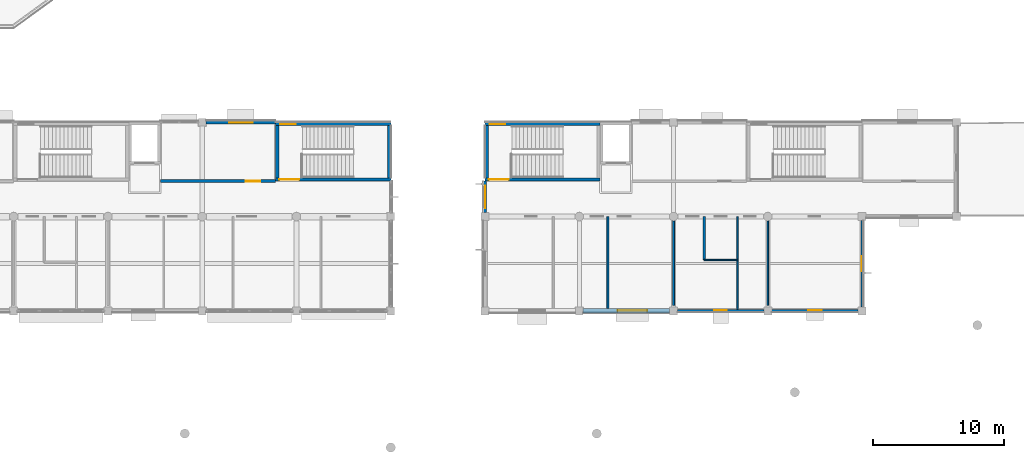
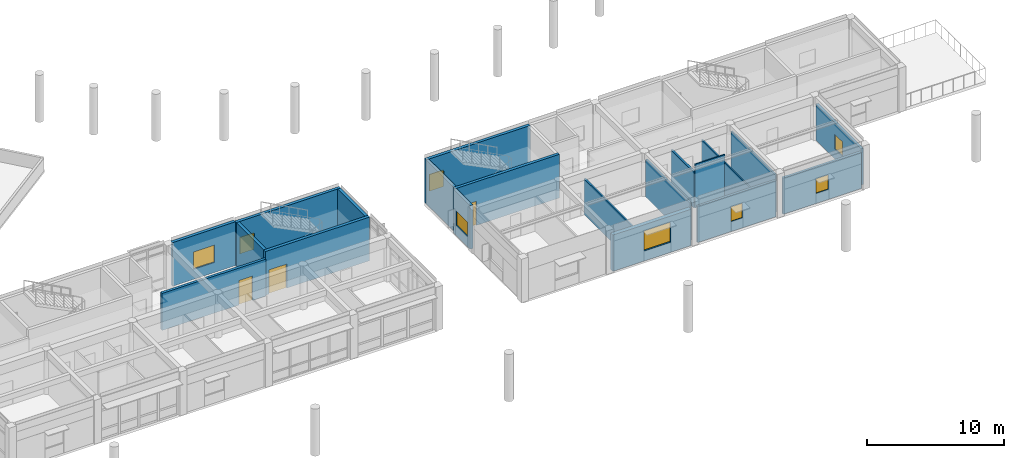
# One storey, part 24 of 55: 20 walls, 8 windows, 3 doors, 11 openings.
"""IFC4 building model written with IfcOpenShell, lengths in metres."""

import ifcopenshell
import ifcopenshell.guid

model = None  # the IFC model being written
_history = None  # IfcOwnerHistory: only IFC2X3 demands one
_inside = {}  # id of a spatial element -> (the spatial element, [elements in it])
_under = {}  # id of a project, library or spatial element -> (it, [spatial elements below it])
_declared = {}  # id of a project -> (the project, [libraries it declares])
_typed = {}  # id of a type object -> (the type object, [elements of that type])
_made_of = {}  # id of a material, layer set ... -> (it, [elements and type objects made of it])


def new_model(schema):
    """Start an empty IFC model of exactly this schema.

    Asked for "IFC4X3", IfcOpenShell would pick the latest addendum, in which some entities
    have other attributes; the version numbers below select the first issue.
    IFC2X3 requires an IfcOwnerHistory on every rooted entity: one is made here for all.
    """
    global model, _history
    if schema == "IFC4X3":
        model = ifcopenshell.file(schema_version=(4, 3, 0, 0))
    else:
        model = ifcopenshell.file(schema=schema)
    _inside.clear()
    _under.clear()
    _declared.clear()
    _typed.clear()
    _made_of.clear()
    _history = None
    if model.schema == "IFC2X3":
        org = make("IfcOrganization", Name="unknown")
        user = make(
            "IfcPersonAndOrganization",
            ThePerson=make("IfcPerson", FamilyName="unknown"),
            TheOrganization=org,
        )
        app = make(
            "IfcApplication",
            ApplicationDeveloper=org,
            Version="unknown",
            ApplicationFullName="unknown",
            ApplicationIdentifier="unknown",
        )
        _history = make(
            "IfcOwnerHistory",
            OwningUser=user,
            OwningApplication=app,
            ChangeAction="ADDED",
            CreationDate=0,
        )
    return model


def make(cls, **values):
    """One entity of the class cls with the attributes given. An attribute that is None is left unset."""
    return model.create_entity(
        cls, **{name: value for name, value in values.items() if value is not None}
    )


def rooted(cls, **values):
    """An entity with a GlobalId (a new one), such as an element, a storey or a relation."""
    return make(cls, GlobalId=ifcopenshell.guid.new(), OwnerHistory=_history, **values)


def si_unit(unit_type, name, prefix=None):
    """IfcSIUnit, for example si_unit("LENGTHUNIT", "METRE", prefix="MILLI")."""
    return make("IfcSIUnit", UnitType=unit_type, Prefix=prefix, Name=name)


def assignment(units):
    """IfcUnitAssignment: the units of a project."""
    return None if units is None else make("IfcUnitAssignment", Units=units)


def point(xyz):
    """IfcCartesianPoint."""
    return None if xyz is None else make("IfcCartesianPoint", Coordinates=xyz)


def direction(xyz):
    """IfcDirection."""
    return None if xyz is None else make("IfcDirection", DirectionRatios=xyz)


def frame(location, z_axis=None, x_axis=None):
    """IfcAxis2Placement3D, a coordinate frame: its origin and axes. An axis left out is left unset."""
    return make(
        "IfcAxis2Placement3D",
        Location=point(location),
        Axis=direction(z_axis),
        RefDirection=direction(x_axis),
    )


def frame_2d(location, x_axis=None):
    """IfcAxis2Placement2D, a coordinate frame in the plane: its origin and x axis."""
    return make(
        "IfcAxis2Placement2D", Location=point(location), RefDirection=direction(x_axis)
    )


def origin():
    """The frame at (0, 0, 0) with its axes left unset."""
    return frame((0.0, 0.0, 0.0))


def place(relative_to, where):
    """IfcLocalPlacement: puts the frame where relative to a parent placement (None: the world)."""
    return make(
        "IfcLocalPlacement", PlacementRelTo=relative_to, RelativePlacement=where
    )


def context(
    kind, dimensions, precision=None, world=None, true_north=None, identifier=None
):
    """IfcGeometricRepresentationContext, for example the 3D "Model" context."""
    return make(
        "IfcGeometricRepresentationContext",
        ContextIdentifier=identifier,
        ContextType=kind,
        CoordinateSpaceDimension=dimensions,
        Precision=precision,
        WorldCoordinateSystem=world,
        TrueNorth=true_north,
    )


def subcontext(parent, identifier, kind, view, scale=None):
    """IfcGeometricRepresentationSubContext, for example "Body" below "Model"."""
    return make(
        "IfcGeometricRepresentationSubContext",
        ContextIdentifier=identifier,
        ContextType=kind,
        ParentContext=parent,
        TargetScale=scale,
        TargetView=view,
    )


def project(units=None, contexts=None):
    """IfcProject with its units and contexts."""
    return rooted(
        "IfcProject",
        Name="project",
        RepresentationContexts=contexts,
        UnitsInContext=assignment(units),
    )


def spatial(cls, under=None, at=None, **own):
    """A site, building, storey or space (cls), placed at a placement, below another one or the project."""
    s = rooted(cls, ObjectPlacement=at, **own)
    if under is not None:
        _under.setdefault(under.id(), (under, []))[1].append(s)
    return s


def profile(cls, at=None, kind="AREA", **sizes):
    """A parametric profile (cls). Its sizes go by their IFC names, for example OverallWidth=200.0."""
    return make(cls, ProfileType=kind, Position=at, **sizes)


def rectangle(**sizes):
    """IfcRectangleProfileDef."""
    return profile("IfcRectangleProfileDef", **sizes)


def extrude(swept, where, along, depth):
    """IfcExtrudedAreaSolid: the profile swept, set in the frame where, extruded along a direction by depth."""
    return make(
        "IfcExtrudedAreaSolid",
        SweptArea=swept,
        Position=where,
        ExtrudedDirection=direction(along),
        Depth=depth,
    )


def shape(context_of_items, identifier, shape_type, items):
    """IfcShapeRepresentation: the items that make up one representation, for example the "Body"."""
    return make(
        "IfcShapeRepresentation",
        ContextOfItems=context_of_items,
        RepresentationIdentifier=identifier,
        RepresentationType=shape_type,
        Items=items,
    )


def material(Name=None, Category=None):
    """IfcMaterial."""
    return make("IfcMaterial", Name=Name, Category=Category)


def layer(
    of_material, thickness, ventilated=None, Name=None, Category=None, Priority=None
):
    """IfcMaterialLayer: one layer of a wall or slab, of a material (None: an air gap)."""
    return make(
        "IfcMaterialLayer",
        Material=of_material,
        LayerThickness=thickness,
        IsVentilated=ventilated,
        Name=Name,
        Category=Category,
        Priority=Priority,
    )


def layer_set(layers, Name=None):
    """IfcMaterialLayerSet."""
    return make("IfcMaterialLayerSet", MaterialLayers=layers, LayerSetName=Name)


def made_of(thing, what):
    """Note that an element or type object is made of a material, layer set ...; save() writes the relation."""
    if what is not None:
        _made_of.setdefault(what.id(), (what, []))[1].append(thing)
    return thing


def type_object(cls, material=None, **own):
    """A type object (cls), such as IfcWallType, which elements share."""
    return made_of(rooted(cls, **own), material)


def element(
    cls,
    number,
    at=None,
    inside=None,
    cuts=None,
    type_object=None,
    material=None,
    context=None,
    identifier="Body",
    shape_type=None,
    held_by="IfcProductDefinitionShape",
    body=None,
    shapes=None,
    **own,
):
    """One element of the class cls, such as IfcWall. Its Tag is "e" and its number.

    at: its placement. inside: the storey or other place that contains it. cuts: it is an
    opening in that element (IfcRelVoidsElement). A single representation is given by context,
    identifier, shape_type and body (its items); several are given by shapes. held_by: the class
    of the entity that holds the representations. save() writes the other relations.
    """
    e = rooted(cls, Tag="e%d" % number, ObjectPlacement=at, **own)
    if body is not None:
        shapes = [shape(context, identifier, shape_type, body)]
    if shapes is not None:
        e.Representation = make(held_by, Representations=shapes)
    if inside is not None:
        _inside.setdefault(inside.id(), (inside, []))[1].append(e)
    if cuts is not None:
        rooted(
            "IfcRelVoidsElement", RelatingBuildingElement=cuts, RelatedOpeningElement=e
        )
    if type_object is not None:
        _typed.setdefault(type_object.id(), (type_object, []))[1].append(e)
    return made_of(e, material)


def fill(opening, filler):
    """IfcRelFillsElement: the door or window that sits in an opening."""
    return rooted(
        "IfcRelFillsElement",
        RelatingOpeningElement=opening,
        RelatedBuildingElement=filler,
    )


def aggregate(whole, parts):
    """IfcRelAggregates: a whole, such as a stair, and the parts it consists of."""
    return rooted("IfcRelAggregates", RelatingObject=whole, RelatedObjects=parts)


def save(model, path):
    """Write the relations noted so far, then the file.

    IfcRelAggregates (storeys below a building ...), IfcRelContainedInSpatialStructure (elements
    in a storey), IfcRelDefinesByType, IfcRelAssociatesMaterial and IfcRelDeclares: one each for
    every whole, place, type object, material and project.
    """
    for whole, parts in _under.values():
        aggregate(whole, parts)
    for where, things in _inside.values():
        rooted(
            "IfcRelContainedInSpatialStructure",
            RelatedElements=things,
            RelatingStructure=where,
        )
    for kind, things in _typed.values():
        rooted("IfcRelDefinesByType", RelatedObjects=things, RelatingType=kind)
    for what, things in _made_of.values():
        rooted("IfcRelAssociatesMaterial", RelatedObjects=things, RelatingMaterial=what)
    for by, libraries in _declared.values():
        rooted("IfcRelDeclares", RelatingContext=by, RelatedDefinitions=libraries)
    model.write(path)


model = new_model("IFC4")

# Units and contexts
model_context = context("Model", 3, precision=1e-05, world=origin(), true_north=direction((0.0, 1.0)))
body_context = subcontext(model_context, "Body", "Model", "MODEL_VIEW")
ifc_project = project(units=[si_unit("LENGTHUNIT", "METRE"), si_unit("AREAUNIT", "SQUARE_METRE"), si_unit("VOLUMEUNIT", "CUBIC_METRE"), si_unit("PLANEANGLEUNIT", "RADIAN"), si_unit("MASSUNIT", "GRAM", prefix="KILO")], contexts=[model_context])

# Site, building, storey
site_placement = place(None, origin())
site = spatial("IfcSite", under=ifc_project, at=site_placement, CompositionType="ELEMENT")
building_placement = place(site_placement, origin())
building = spatial("IfcBuilding", under=site, at=building_placement, Name="Namkhue Oval Health Centre", CompositionType="ELEMENT")
storey_placement = place(building_placement, frame((0.0, 0.0, 9.60009765625)))
storey = spatial("IfcBuildingStorey", under=building, at=storey_placement, Name="L02", CompositionType="ELEMENT", Elevation=9.60009765625)

# Wall, opening, window
ifc_material_1 = material(Name="Autoclaved aerated concrete blockwork M7.5", Category="masonry")
ifc_layer_1 = layer(ifc_material_1, 0.179931640625)
ifc_layer_set_1 = layer_set([ifc_layer_1], Name="Autoclaved aerated concrete blockwork M7.5")
wall_type_1 = type_object("IfcWallType", Name="EXTERIOR ENVELOPE WALL 180", PredefinedType="STANDARD", material=ifc_layer_set_1)
wall_1_placement = place(storey_placement, frame((108.2958984375, 14.39990234375, 0.0), z_axis=(0.0, 0.0, 1.0), x_axis=(1.0, 0.0, 0.0)))
wall_1 = element("IfcWall", 1, at=wall_1_placement, inside=storey, type_object=wall_type_1, Name="Volume V5 L02 Exterior Envelope Wall 129", PredefinedType="STANDARD", context=body_context, shape_type="SweptSolid", body=[
    extrude(rectangle(XDim=6.608154296875, YDim=0.179931640625, at=frame_2d((3.30419921875, 0.0))), origin(), (0.0, 0.0, 1.0), 3.23486328125),
])
opening_1_placement = place(wall_1_placement, frame((2.8291015625, 0.0, 0.89990234375)))
opening_1 = element("IfcOpeningElement", 2, at=opening_1_placement, cuts=wall_1, Name="Opening WN-01", PredefinedType="OPENING", context=body_context, shape_type="SweptSolid", body=[
    extrude(rectangle(XDim=0.949951171875, YDim=1.300048828125, at=frame_2d((0.47509765625, 0.64990234375))), frame((0.0, 0.099853515625, 0.0), z_axis=(0.0, -1.0, 0.0), x_axis=(1.0, 0.0, 0.0)), (0.0, 0.0, 1.0), 0.199951171875),
])
ifc_material_2 = material(Name="Thermally broken low-E laminated double glazing", Category="glass")
window_type_1 = type_object("IfcWindowType", Name="EXTERIOR WINDOW 950X1300", PartitioningType="SINGLE_PANEL", PredefinedType="WINDOW", material=ifc_material_2)
window_1_placement = place(opening_1_placement, origin())
window_1 = element("IfcWindow", 3, at=window_1_placement, inside=storey, type_object=window_type_1, Name="Volume V5 L02 Exterior Window 91", OverallHeight=1.300048828125, OverallWidth=0.949951171875, PartitioningType="SINGLE_PANEL", PredefinedType="WINDOW", context=body_context, shape_type="SweptSolid", body=[
    extrude(rectangle(XDim=0.949951171875, YDim=1.300048828125, at=frame_2d((0.47509765625, 0.64990234375))), frame((0.0, 0.030029296875, 0.0), z_axis=(0.0, -1.0, 0.0), x_axis=(1.0, 0.0, 0.0)), (0.0, 0.0, 1.0), 0.06005859375),
])
fill(opening_1, window_1)

ifc_layer_2 = layer(ifc_material_1, 0.18994140625)
ifc_layer_set_2 = layer_set([ifc_layer_2], Name="Autoclaved aerated concrete blockwork M7.5")
wall_type_2 = type_object("IfcWallType", Name="EXTERIOR ENVELOPE WALL 190", PredefinedType="STANDARD", material=ifc_layer_set_2)
wall_2_placement = place(storey_placement, frame((115.49609375, 14.39990234375, 0.0), z_axis=(0.0, 0.0, 1.0), x_axis=(1.0, 0.0, 0.0)))
wall_2 = element("IfcWall", 4, at=wall_2_placement, inside=storey, type_object=wall_type_2, Name="Volume V5 L02 Exterior Envelope Wall 130", PredefinedType="STANDARD", context=body_context, shape_type="SweptSolid", body=[
    extrude(rectangle(XDim=6.60791015625, YDim=0.18994140625, at=frame_2d((3.303955078125, 0.0))), origin(), (0.0, 0.0, 1.0), 3.23486328125),
])
opening_2_placement = place(wall_2_placement, frame((2.779052734375, 0.0, 0.89990234375)))
opening_2 = element("IfcOpeningElement", 5, at=opening_2_placement, cuts=wall_2, Name="Opening WN-02", PredefinedType="OPENING", context=body_context, shape_type="SweptSolid", body=[
    extrude(rectangle(XDim=1.050048828125, YDim=1.300048828125, at=frame_2d((0.52490234375, 0.64990234375))), frame((0.0, 0.10498046875, 0.0), z_axis=(0.0, -1.0, 0.0), x_axis=(1.0, 0.0, 0.0)), (0.0, 0.0, 1.0), 0.2099609375),
])
window_type_2 = type_object("IfcWindowType", Name="EXTERIOR WINDOW 1050X1300", PartitioningType="SINGLE_PANEL", PredefinedType="WINDOW", material=ifc_material_2)
window_2_placement = place(opening_2_placement, origin())
window_2 = element("IfcWindow", 6, at=window_2_placement, inside=storey, type_object=window_type_2, Name="Volume V5 L02 Exterior Window 92", OverallHeight=1.300048828125, OverallWidth=1.050048828125, PartitioningType="SINGLE_PANEL", PredefinedType="WINDOW", context=body_context, shape_type="SweptSolid", body=[
    extrude(rectangle(XDim=1.050048828125, YDim=1.300048828125, at=frame_2d((0.52490234375, 0.64990234375))), frame((0.0, 0.030029296875, 0.0), z_axis=(0.0, -1.0, 0.0), x_axis=(1.0, 0.0, 0.0)), (0.0, 0.0, 1.0), 0.06005859375),
])
fill(opening_2, window_2)

ifc_layer_3 = layer(ifc_material_1, 0.199951171875)
ifc_layer_set_3 = layer_set([ifc_layer_3], Name="Autoclaved aerated concrete blockwork M7.5")
wall_type_3 = type_object("IfcWallType", Name="EXTERIOR ENVELOPE WALL 200", PredefinedType="STANDARD", material=ifc_layer_set_3)
wall_3_placement = place(storey_placement, frame((122.39990234375, 14.696044921875, 0.0), z_axis=(0.0, 0.0, 1.0), x_axis=(0.0, 1.0, 0.0)))
wall_3 = element("IfcWall", 7, at=wall_3_placement, inside=storey, type_object=wall_type_3, Name="Volume V5 L02 Exterior Envelope Wall 131", PredefinedType="STANDARD", context=body_context, shape_type="SweptSolid", body=[
    extrude(rectangle(XDim=6.60791015625, YDim=0.199951171875, at=frame_2d((3.303955078125, 0.0))), origin(), (0.0, 0.0, 1.0), 3.23486328125),
])
opening_3_placement = place(wall_3_placement, frame((2.72900390625, 0.0, 0.89990234375)))
opening_3 = element("IfcOpeningElement", 8, at=opening_3_placement, cuts=wall_3, Name="Opening WN-03", PredefinedType="OPENING", context=body_context, shape_type="SweptSolid", body=[
    extrude(rectangle(XDim=1.14990234375, YDim=1.300048828125, at=frame_2d((0.574951171875, 0.64990234375))), frame((0.0, 0.10986328125, 0.0), z_axis=(0.0, -1.0, 0.0), x_axis=(1.0, 0.0, 0.0)), (0.0, 0.0, 1.0), 0.219970703125),
])
window_type_3 = type_object("IfcWindowType", Name="EXTERIOR WINDOW 1150X1300", PartitioningType="SINGLE_PANEL", PredefinedType="WINDOW", material=ifc_material_2)
window_3_placement = place(opening_3_placement, origin())
window_3 = element("IfcWindow", 9, at=window_3_placement, inside=storey, type_object=window_type_3, Name="Volume V5 L02 Exterior Window 93", OverallHeight=1.300048828125, OverallWidth=1.14990234375, PartitioningType="SINGLE_PANEL", PredefinedType="WINDOW", context=body_context, shape_type="SweptSolid", body=[
    extrude(rectangle(XDim=1.14990234375, YDim=1.300048828125, at=frame_2d((0.574951171875, 0.64990234375))), frame((0.0, 0.030029296875, 0.0), z_axis=(0.0, -1.0, 0.0), x_axis=(1.0, 0.0, 0.0)), (0.0, 0.0, 1.0), 0.06005859375),
])
fill(opening_3, window_3)

ifc_layer_4 = layer(ifc_material_1, 0.260009765625)
ifc_layer_set_4 = layer_set([ifc_layer_4], Name="Autoclaved aerated concrete blockwork M7.5")
wall_type_4 = type_object("IfcWallType", Name="EXTERIOR ENVELOPE WALL 260", PredefinedType="STANDARD", material=ifc_layer_set_4)
wall_4_placement = place(storey_placement, frame((77.597900390625, 28.800048828125, 0.0), z_axis=(0.0, 0.0, 1.0), x_axis=(-1.0, 0.0, 0.0)))
wall_4 = element("IfcWall", 10, at=wall_4_placement, inside=storey, type_object=wall_type_4, Name="Volume V4 L02 Exterior Envelope Wall 105", PredefinedType="STANDARD", context=body_context, shape_type="SweptSolid", body=[
    extrude(rectangle(XDim=5.302001953125, YDim=0.260009765625, at=frame_2d((2.65087890625, 0.0))), origin(), (0.0, 0.0, 1.0), 3.89990234375),
])
opening_4_placement = place(wall_4_placement, frame((1.7509765625, 0.0, 0.89990234375)))
opening_4 = element("IfcOpeningElement", 11, at=opening_4_placement, cuts=wall_4, Name="Opening WN-27", PredefinedType="OPENING", context=body_context, shape_type="SweptSolid", body=[
    extrude(rectangle(XDim=1.800048828125, YDim=1.5400390625, at=frame_2d((0.89990234375, 0.77001953125))), frame((0.0, 0.139892578125, 0.0), z_axis=(0.0, -1.0, 0.0), x_axis=(1.0, 0.0, 0.0)), (0.0, 0.0, 1.0), 0.280029296875),
])
window_type_4 = type_object("IfcWindowType", Name="EXTERIOR WINDOW 1800X1540", PartitioningType="SINGLE_PANEL", PredefinedType="WINDOW", material=ifc_material_2)
window_4_placement = place(opening_4_placement, origin())
window_4 = element("IfcWindow", 12, at=window_4_placement, inside=storey, type_object=window_type_4, Name="Volume V4 L02 Exterior Window 72", OverallHeight=1.5400390625, OverallWidth=1.800048828125, PartitioningType="SINGLE_PANEL", PredefinedType="WINDOW", context=body_context, shape_type="SweptSolid", body=[
    extrude(rectangle(XDim=1.800048828125, YDim=1.5400390625, at=frame_2d((0.89990234375, 0.77001953125))), frame((0.0, 0.030029296875, 0.0), z_axis=(0.0, -1.0, 0.0), x_axis=(1.0, 0.0, 0.0)), (0.0, 0.0, 1.0), 0.06005859375),
])
fill(opening_4, window_4)

wall_5_placement = place(storey_placement, frame((93.60009765625, 24.298095703125, 0.0), z_axis=(0.0, 0.0, 1.0), x_axis=(0.0, -1.0, 0.0)))
wall_5 = element("IfcWall", 13, at=wall_5_placement, inside=storey, type_object=wall_type_4, Name="Volume V5 L02 Exterior Envelope Wall 137", PredefinedType="STANDARD", context=body_context, shape_type="SweptSolid", body=[
    extrude(rectangle(XDim=2.402099609375, YDim=0.260009765625, at=frame_2d((1.201171875, 0.0))), origin(), (0.0, 0.0, 1.0), 3.885009765625),
])
opening_5_placement = place(wall_5_placement, frame((0.35107421875, 0.0, 0.89990234375)))
opening_5 = element("IfcOpeningElement", 14, at=opening_5_placement, cuts=wall_5, Name="Opening WN-08", PredefinedType="OPENING", context=body_context, shape_type="SweptSolid", body=[
    extrude(rectangle(XDim=1.699951171875, YDim=1.300048828125, at=frame_2d((0.85009765625, 0.64990234375))), frame((0.0, 0.139892578125, 0.0), z_axis=(0.0, -1.0, 0.0), x_axis=(1.0, 0.0, 0.0)), (0.0, 0.0, 1.0), 0.280029296875),
])
window_type_5 = type_object("IfcWindowType", Name="EXTERIOR WINDOW 1700X1300", PartitioningType="SINGLE_PANEL", PredefinedType="WINDOW", material=ifc_material_2)
window_5_placement = place(opening_5_placement, origin())
window_5 = element("IfcWindow", 15, at=window_5_placement, inside=storey, type_object=window_type_5, Name="Volume V5 L02 Exterior Window 98", OverallHeight=1.300048828125, OverallWidth=1.699951171875, PartitioningType="SINGLE_PANEL", PredefinedType="WINDOW", context=body_context, shape_type="SweptSolid", body=[
    extrude(rectangle(XDim=1.699951171875, YDim=1.300048828125, at=frame_2d((0.85009765625, 0.64990234375))), frame((0.0, 0.030029296875, 0.0), z_axis=(0.0, -1.0, 0.0), x_axis=(1.0, 0.0, 0.0)), (0.0, 0.0, 1.0), 0.06005859375),
])
fill(opening_5, window_5)

ifc_layer_5 = layer(ifc_material_1, 0.330078125)
ifc_layer_set_5 = layer_set([ifc_layer_5], Name="Autoclaved aerated concrete blockwork M7.5")
wall_type_5 = type_object("IfcWallType", Name="EXTERIOR ENVELOPE WALL 330", PredefinedType="STANDARD", material=ifc_layer_set_5)
wall_6_placement = place(storey_placement, frame((101.095947265625, 14.39990234375, 0.0), z_axis=(0.0, 0.0, 1.0), x_axis=(1.0, 0.0, 0.0)))
wall_6 = element("IfcWall", 16, at=wall_6_placement, inside=storey, type_object=wall_type_5, Name="Volume V5 L02 Exterior Envelope Wall 128", PredefinedType="STANDARD", context=body_context, shape_type="SweptSolid", body=[
    extrude(rectangle(XDim=6.608154296875, YDim=0.330078125, at=frame_2d((3.30419921875, 0.0))), origin(), (0.0, 0.0, 1.0), 3.23486328125),
])
opening_6_placement = place(wall_6_placement, frame((2.62890625, 0.0, 0.89990234375)))
opening_6 = element("IfcOpeningElement", 17, at=opening_6_placement, cuts=wall_6, Name="Opening WN-45", PredefinedType="OPENING", context=body_context, shape_type="SweptSolid", body=[
    extrude(rectangle(XDim=2.25, YDim=1.780029296875, at=frame_2d((1.125, 0.89013671875))), frame((0.0, 0.175048828125, 0.0), z_axis=(0.0, -1.0, 0.0), x_axis=(1.0, 0.0, 0.0)), (0.0, 0.0, 1.0), 0.35009765625),
])
window_type_6 = type_object("IfcWindowType", Name="EXTERIOR WINDOW 2250X1780", PartitioningType="SINGLE_PANEL", PredefinedType="WINDOW", material=ifc_material_2)
window_6_placement = place(opening_6_placement, origin())
window_6 = element("IfcWindow", 18, at=window_6_placement, inside=storey, type_object=window_type_6, Name="Volume V5 L02 Exterior Window 90", OverallHeight=1.780029296875, OverallWidth=2.25, PartitioningType="SINGLE_PANEL", PredefinedType="WINDOW", context=body_context, shape_type="SweptSolid", body=[
    extrude(rectangle(XDim=2.25, YDim=1.780029296875, at=frame_2d((1.125, 0.89013671875))), frame((0.0, 0.030029296875, 0.0), z_axis=(0.0, -1.0, 0.0), x_axis=(1.0, 0.0, 0.0)), (0.0, 0.0, 1.0), 0.06005859375),
])
fill(opening_6, window_6)

# Wall, opening, door
ifc_material_3 = material(Name="Lead-lined barium plasterboard radiation partition", Category="gypsum")
ifc_layer_6 = layer(ifc_material_3, 0.22509765625)
ifc_layer_set_6 = layer_set([ifc_layer_6], Name="Lead-lined barium plasterboard radiation partition")
wall_type_6 = type_object("IfcWallType", Name="FIRE PARTITION WALL 225", PredefinedType="PARTITIONING", material=ifc_layer_set_6)
wall_7_placement = place(storey_placement, frame((68.820068359375, 24.300048828125, 0.0), z_axis=(0.0, 0.0, 1.0), x_axis=(1.0, 0.0, 0.0)))
wall_7 = element("IfcWall", 19, at=wall_7_placement, inside=storey, type_object=wall_type_6, Name="Volume V4 L02 Clinical Partition Wall 195", PredefinedType="PARTITIONING", context=body_context, shape_type="SweptSolid", body=[
    extrude(rectangle(XDim=8.760009765625, YDim=0.22509765625, at=frame_2d((4.3798828125, 0.0))), origin(), (0.0, 0.0, 1.0), 3.2998046875),
])
opening_7_placement = place(wall_7_placement, frame((6.5, 0.0, 0.0)))
opening_7 = element("IfcOpeningElement", 20, at=opening_7_placement, cuts=wall_7, Name="Opening CD-17", PredefinedType="OPENING", context=body_context, shape_type="SweptSolid", body=[
    extrude(rectangle(XDim=1.1298828125, YDim=2.179931640625, at=frame_2d((0.56494140625, 1.08984375))), frame((0.0, 0.12255859375, 0.0), z_axis=(0.0, -1.0, 0.0), x_axis=(1.0, 0.0, 0.0)), (0.0, 0.0, 1.0), 0.2451171875),
])
ifc_material_4 = material(Name="High-pressure laminate timber clinical door", Category="wood")
door_type_1 = type_object("IfcDoorType", Name="CLINICAL DOOR 1130X2180", OperationType="NOTDEFINED", PredefinedType="DOOR", material=ifc_material_4)
door_1_placement = place(opening_7_placement, origin())
door_1 = element("IfcDoor", 21, at=door_1_placement, inside=storey, type_object=door_type_1, Name="Volume V4 L02 Ophthalmic Microsurgery Theatre Door 168", OperationType="SINGLE_SWING_LEFT", OverallHeight=2.179931640625, OverallWidth=1.1298828125, PredefinedType="DOOR", context=body_context, shape_type="SweptSolid", body=[
    extrude(rectangle(XDim=1.1298828125, YDim=2.179931640625, at=frame_2d((0.56494140625, 1.08984375))), frame((0.0, 0.02490234375, 0.0), z_axis=(0.0, -1.0, 0.0), x_axis=(1.0, 0.0, 0.0)), (0.0, 0.0, 1.0), 0.050048828125),
])
fill(opening_7, door_1)

# Walls
ifc_material_5 = material(Name="Gypsum plasterboard acoustic partition", Category="gypsum")
ifc_layer_7 = layer(ifc_material_5, 0.10009765625)
ifc_layer_set_7 = layer_set([ifc_layer_7], Name="Gypsum plasterboard acoustic partition")
wall_type_7 = type_object("IfcWallType", Name="INTERIOR PARTITION WALL 100", PredefinedType="PARTITIONING", material=ifc_layer_set_7)
wall_8_placement = place(storey_placement, frame((110.340087890625, 18.280029296875, 0.0), z_axis=(0.0, 0.0, 1.0), x_axis=(1.0, 0.0, 0.0)))
element("IfcWall", 22, at=wall_8_placement, inside=storey, type_object=wall_type_7, Name="Volume V5 L02 Clinical Partition Wall 232", PredefinedType="PARTITIONING", context=body_context, shape_type="SweptSolid", body=[
    extrude(rectangle(XDim=2.539794921875, YDim=0.10009765625, at=frame_2d((1.27001953125, 0.0))), origin(), (0.0, 0.0, 1.0), 3.885009765625),
])
ifc_layer_8 = layer(ifc_material_5, 0.110107421875)
ifc_layer_set_8 = layer_set([ifc_layer_8], Name="Gypsum plasterboard acoustic partition")
wall_type_8 = type_object("IfcWallType", Name="INTERIOR PARTITION WALL 110", PredefinedType="PARTITIONING", material=ifc_layer_set_8)
wall_9_placement = place(storey_placement, frame((112.8798828125, 14.511962890625, 0.0), z_axis=(0.0, 0.0, 1.0), x_axis=(0.0, 1.0, 0.0)))
element("IfcWall", 23, at=wall_9_placement, inside=storey, type_object=wall_type_8, Name="Volume V5 L02 Clinical Partition Wall 233", PredefinedType="PARTITIONING", context=body_context, shape_type="SweptSolid", body=[
    extrude(rectangle(XDim=7.088134765625, YDim=0.110107421875, at=frame_2d((3.5439453125, 0.0))), origin(), (0.0, 0.0, 1.0), 3.184814453125),
])
ifc_layer_9 = layer(ifc_material_5, 0.1201171875)
ifc_layer_set_9 = layer_set([ifc_layer_9], Name="Gypsum plasterboard acoustic partition")
wall_type_9 = type_object("IfcWallType", Name="INTERIOR PARTITION WALL 120", PredefinedType="PARTITIONING", material=ifc_layer_set_9)
wall_10_placement = place(storey_placement, frame((115.199951171875, 14.82421875, 0.0), z_axis=(0.0, 0.0, 1.0), x_axis=(0.0, 1.0, 0.0)))
element("IfcWall", 24, at=wall_10_placement, inside=storey, type_object=wall_type_9, Name="Volume V5 L02 Clinical Partition Wall 234", PredefinedType="PARTITIONING", context=body_context, shape_type="SweptSolid", body=[
    extrude(rectangle(XDim=6.45068359375, YDim=0.1201171875, at=frame_2d((3.225341796875, 0.0))), origin(), (0.0, 0.0, 1.0), 3.3349609375),
])
ifc_layer_10 = layer(ifc_material_5, 0.139892578125)
ifc_layer_set_10 = layer_set([ifc_layer_10], Name="Gypsum plasterboard acoustic partition")
wall_type_10 = type_object("IfcWallType", Name="INTERIOR PARTITION WALL 140", PredefinedType="PARTITIONING", material=ifc_layer_set_10)
wall_11_placement = place(storey_placement, frame((102.98388671875, 14.5869140625, 0.0), z_axis=(0.0, 0.0, 1.0), x_axis=(0.0, 1.0, 0.0)))
element("IfcWall", 25, at=wall_11_placement, inside=storey, type_object=wall_type_10, Name="Volume V5 L02 Clinical Partition Wall 229", PredefinedType="PARTITIONING", context=body_context, shape_type="SweptSolid", body=[
    extrude(rectangle(XDim=7.01318359375, YDim=0.139892578125, at=frame_2d((3.506591796875, 0.0))), origin(), (0.0, 0.0, 1.0), 3.184814453125),
])
ifc_layer_11 = layer(ifc_material_5, 0.14990234375)
ifc_layer_set_11 = layer_set([ifc_layer_11], Name="Gypsum plasterboard acoustic partition")
wall_type_11 = type_object("IfcWallType", Name="INTERIOR PARTITION WALL 150", PredefinedType="PARTITIONING", material=ifc_layer_set_11)
wall_12_placement = place(storey_placement, frame((108.0, 14.82421875, 0.0), z_axis=(0.0, 0.0, 1.0), x_axis=(0.0, 1.0, 0.0)))
element("IfcWall", 26, at=wall_12_placement, inside=storey, type_object=wall_type_11, Name="Volume V5 L02 Clinical Partition Wall 230", PredefinedType="PARTITIONING", context=body_context, shape_type="SweptSolid", body=[
    extrude(rectangle(XDim=6.45068359375, YDim=0.14990234375, at=frame_2d((3.225341796875, 0.0))), origin(), (0.0, 0.0, 1.0), 3.3349609375),
])
ifc_layer_12 = layer(ifc_material_5, 0.159912109375)
ifc_layer_set_12 = layer_set([ifc_layer_12], Name="Gypsum plasterboard acoustic partition")
wall_type_12 = type_object("IfcWallType", Name="INTERIOR PARTITION WALL 160", PredefinedType="PARTITIONING", material=ifc_layer_set_12)
wall_13_placement = place(storey_placement, frame((110.340087890625, 18.280029296875, 0.0), z_axis=(0.0, 0.0, 1.0), x_axis=(0.0, 1.0, 0.0)))
element("IfcWall", 27, at=wall_13_placement, inside=storey, type_object=wall_type_12, Name="Volume V5 L02 Clinical Partition Wall 231", PredefinedType="PARTITIONING", context=body_context, shape_type="SweptSolid", body=[
    extrude(rectangle(XDim=3.320068359375, YDim=0.159912109375, at=frame_2d((1.66015625, 0.0))), origin(), (0.0, 0.0, 1.0), 3.184814453125),
])
ifc_material_6 = material(Name="Reinforced concrete C35/45 (TCVN B40)", Category="concrete")
ifc_layer_13 = layer(ifc_material_6, 0.25)
ifc_layer_set_13 = layer_set([ifc_layer_13], Name="Reinforced concrete C35/45 (TCVN B40)")
wall_type_13 = type_object("IfcWallType", Name="SHEAR CORE WALL EXT 250", PredefinedType="SHEAR", material=ifc_layer_set_13)
wall_14_placement = place(storey_placement, frame((86.27490234375, 24.550048828125, 0.0), z_axis=(0.0, 0.0, 1.0), x_axis=(0.0, 1.0, 0.0)))
element("IfcWall", 28, at=wall_14_placement, inside=storey, type_object=wall_type_13, Name="Core SC-08 L02 Shear Wall E", PredefinedType="SHEAR", context=body_context, shape_type="SweptSolid", body=[
    extrude(rectangle(XDim=4.0, YDim=0.25, at=frame_2d((2.0, 0.0))), origin(), (0.0, 0.0, 1.0), 3.89990234375),
])

# Wall, opening, window
wall_15_placement = place(storey_placement, frame((86.39990234375, 28.675048828125, 0.0), z_axis=(0.0, 0.0, 1.0), x_axis=(-1.0, 0.0, 0.0)))
wall_15 = element("IfcWall", 29, at=wall_15_placement, inside=storey, type_object=wall_type_13, Name="Core SC-08 L02 Shear Wall N", PredefinedType="SHEAR", context=body_context, shape_type="SweptSolid", body=[
    extrude(rectangle(XDim=8.7998046875, YDim=0.25, at=frame_2d((4.39990234375, 0.0))), origin(), (0.0, 0.0, 1.0), 3.89990234375),
])
opening_8_placement = place(wall_15_placement, frame((7.27001953125, 0.0, 0.919921875)))
opening_8 = element("IfcOpeningElement", 30, at=opening_8_placement, cuts=wall_15, Name="Opening SWN-01", PredefinedType="OPENING", context=body_context, shape_type="SweptSolid", body=[
    extrude(rectangle(XDim=1.179931640625, YDim=1.47998046875, at=frame_2d((0.58984375, 0.739990234375))), frame((0.0, 0.135009765625, 0.0), z_axis=(0.0, -1.0, 0.0), x_axis=(1.0, 0.0, 0.0)), (0.0, 0.0, 1.0), 0.27001953125),
])
ifc_material_7 = material(Name="Fire-rated insulated safety double glazing", Category="glass")
window_type_7 = type_object("IfcWindowType", Name="EXTERIOR WINDOW STAIRWELL 1180X1480", PartitioningType="SINGLE_PANEL", PredefinedType="WINDOW", material=ifc_material_7)
window_7_placement = place(opening_8_placement, origin())
window_7 = element("IfcWindow", 31, at=window_7_placement, inside=storey, type_object=window_type_7, Name="Stair ST-08 L02 Stairwell Daylight Window", OverallHeight=1.47998046875, OverallWidth=1.179931640625, PartitioningType="SINGLE_PANEL", PredefinedType="WINDOW", context=body_context, shape_type="SweptSolid", body=[
    extrude(rectangle(XDim=1.179931640625, YDim=1.47998046875, at=frame_2d((0.58984375, 0.739990234375))), frame((0.0, 0.030029296875, 0.0), z_axis=(0.0, -1.0, 0.0), x_axis=(1.0, 0.0, 0.0)), (0.0, 0.0, 1.0), 0.06005859375),
])
fill(opening_8, window_7)

wall_16_placement = place(storey_placement, frame((102.39990234375, 28.675048828125, 0.0), z_axis=(0.0, 0.0, 1.0), x_axis=(-1.0, 0.0, 0.0)))
wall_16 = element("IfcWall", 32, at=wall_16_placement, inside=storey, type_object=wall_type_13, Name="Core SC-09 L02 Shear Wall N", PredefinedType="SHEAR", context=body_context, shape_type="SweptSolid", body=[
    extrude(rectangle(XDim=8.7998046875, YDim=0.25, at=frame_2d((4.39990234375, 0.0))), origin(), (0.0, 0.0, 1.0), 3.885009765625),
])
opening_9_placement = place(wall_16_placement, frame((7.27001953125, 0.0, 0.919921875)))
opening_9 = element("IfcOpeningElement", 33, at=opening_9_placement, cuts=wall_16, Name="Opening SWN-01", PredefinedType="OPENING", context=body_context, shape_type="SweptSolid", body=[
    extrude(rectangle(XDim=1.179931640625, YDim=1.47998046875, at=frame_2d((0.58984375, 0.739990234375))), frame((0.0, 0.135009765625, 0.0), z_axis=(0.0, -1.0, 0.0), x_axis=(1.0, 0.0, 0.0)), (0.0, 0.0, 1.0), 0.27001953125),
])
window_8_placement = place(opening_9_placement, origin())
window_8 = element("IfcWindow", 34, at=window_8_placement, inside=storey, type_object=window_type_7, Name="Stair ST-09 L02 Stairwell Daylight Window", OverallHeight=1.47998046875, OverallWidth=1.179931640625, PartitioningType="SINGLE_PANEL", PredefinedType="WINDOW", context=body_context, shape_type="SweptSolid", body=[
    extrude(rectangle(XDim=1.179931640625, YDim=1.47998046875, at=frame_2d((0.58984375, 0.739990234375))), frame((0.0, 0.030029296875, 0.0), z_axis=(0.0, -1.0, 0.0), x_axis=(1.0, 0.0, 0.0)), (0.0, 0.0, 1.0), 0.06005859375),
])
fill(opening_9, window_8)

# Wall
wall_17_placement = place(storey_placement, frame((93.72509765625, 28.550048828125, 0.0), z_axis=(0.0, 0.0, 1.0), x_axis=(0.0, -1.0, 0.0)))
element("IfcWall", 35, at=wall_17_placement, inside=storey, type_object=wall_type_13, Name="Core SC-09 L02 Shear Wall W", PredefinedType="SHEAR", context=body_context, shape_type="SweptSolid", body=[
    extrude(rectangle(XDim=4.0, YDim=0.25, at=frame_2d((2.0, 0.0))), origin(), (0.0, 0.0, 1.0), 3.885009765625),
])

# Wall, opening, door
ifc_layer_14 = layer(ifc_material_6, 0.25)
ifc_layer_set_14 = layer_set([ifc_layer_14], Name="Reinforced concrete C35/45 (TCVN B40)")
wall_type_14 = type_object("IfcWallType", Name="SHEAR CORE WALL INT 250", PredefinedType="SHEAR", material=ifc_layer_set_14)
wall_18_placement = place(storey_placement, frame((77.60009765625, 24.425048828125, 0.0), z_axis=(0.0, 0.0, 1.0), x_axis=(1.0, 0.0, 0.0)))
wall_18 = element("IfcWall", 36, at=wall_18_placement, inside=storey, type_object=wall_type_14, Name="Core SC-08 L02 Shear Wall S", PredefinedType="SHEAR", context=body_context, shape_type="SweptSolid", body=[
    extrude(rectangle(XDim=8.7998046875, YDim=0.25, at=frame_2d((4.39990234375, 0.0))), origin(), (0.0, 0.0, 1.0), 3.89990234375),
])
opening_10_placement = place(wall_18_placement, frame((0.300048828125, 0.0, 0.0)))
opening_10 = element("IfcOpeningElement", 37, at=opening_10_placement, cuts=wall_18, Name="Opening SD-I1", PredefinedType="OPENING", context=body_context, shape_type="SweptSolid", body=[
    extrude(rectangle(XDim=1.5, YDim=2.14990234375, at=frame_2d((0.75, 1.074951171875))), frame((0.0, 0.135009765625, 0.0), z_axis=(0.0, -1.0, 0.0), x_axis=(1.0, 0.0, 0.0)), (0.0, 0.0, 1.0), 0.27001953125),
])
ifc_material_8 = material(Name="Powder-coated steel fire door assembly", Category="steel")
door_type_2 = type_object("IfcDoorType", Name="CLINICAL DOOR STAIR CORE 1500X2150", OperationType="DOUBLE_DOOR_SINGLE_SWING", PredefinedType="DOOR", material=ifc_material_8)
door_2_placement = place(opening_10_placement, origin())
door_2 = element("IfcDoor", 38, at=door_2_placement, inside=storey, type_object=door_type_2, Name="Stair ST-08 L02 Stair Enclosure Fire Door", OperationType="DOUBLE_DOOR_SINGLE_SWING", OverallHeight=2.14990234375, OverallWidth=1.5, PredefinedType="DOOR", context=body_context, shape_type="SweptSolid", body=[
    extrude(rectangle(XDim=1.5, YDim=2.14990234375, at=frame_2d((0.75, 1.074951171875))), frame((0.0, 0.02490234375, 0.0), z_axis=(0.0, -1.0, 0.0), x_axis=(1.0, 0.0, 0.0)), (0.0, 0.0, 1.0), 0.050048828125),
])
fill(opening_10, door_2)

# Wall
wall_19_placement = place(storey_placement, frame((77.72509765625, 28.550048828125, 0.0), z_axis=(0.0, 0.0, 1.0), x_axis=(0.0, -1.0, 0.0)))
element("IfcWall", 39, at=wall_19_placement, inside=storey, type_object=wall_type_14, Name="Core SC-08 L02 Shear Wall W", PredefinedType="SHEAR", context=body_context, shape_type="SweptSolid", body=[
    extrude(rectangle(XDim=4.0, YDim=0.25, at=frame_2d((2.0, 0.0))), origin(), (0.0, 0.0, 1.0), 3.89990234375),
])

# Wall, opening, door
wall_20_placement = place(storey_placement, frame((93.60009765625, 24.425048828125, 0.0), z_axis=(0.0, 0.0, 1.0), x_axis=(1.0, 0.0, 0.0)))
wall_20 = element("IfcWall", 40, at=wall_20_placement, inside=storey, type_object=wall_type_14, Name="Core SC-09 L02 Shear Wall S", PredefinedType="SHEAR", context=body_context, shape_type="SweptSolid", body=[
    extrude(rectangle(XDim=8.7998046875, YDim=0.25, at=frame_2d((4.39990234375, 0.0))), origin(), (0.0, 0.0, 1.0), 3.885009765625),
])
opening_11_placement = place(wall_20_placement, frame((0.300048828125, 0.0, 0.0)))
opening_11 = element("IfcOpeningElement", 41, at=opening_11_placement, cuts=wall_20, Name="Opening SD-I1", PredefinedType="OPENING", context=body_context, shape_type="SweptSolid", body=[
    extrude(rectangle(XDim=1.5, YDim=2.14990234375, at=frame_2d((0.75, 1.074951171875))), frame((0.0, 0.135009765625, 0.0), z_axis=(0.0, -1.0, 0.0), x_axis=(1.0, 0.0, 0.0)), (0.0, 0.0, 1.0), 0.27001953125),
])
door_3_placement = place(opening_11_placement, origin())
door_3 = element("IfcDoor", 42, at=door_3_placement, inside=storey, type_object=door_type_2, Name="Stair ST-09 L02 Stair Enclosure Fire Door", OperationType="DOUBLE_DOOR_SINGLE_SWING", OverallHeight=2.14990234375, OverallWidth=1.5, PredefinedType="DOOR", context=body_context, shape_type="SweptSolid", body=[
    extrude(rectangle(XDim=1.5, YDim=2.14990234375, at=frame_2d((0.75, 1.074951171875))), frame((0.0, 0.02490234375, 0.0), z_axis=(0.0, -1.0, 0.0), x_axis=(1.0, 0.0, 0.0)), (0.0, 0.0, 1.0), 0.050048828125),
])
fill(opening_11, door_3)

save(model, "model.ifc")
